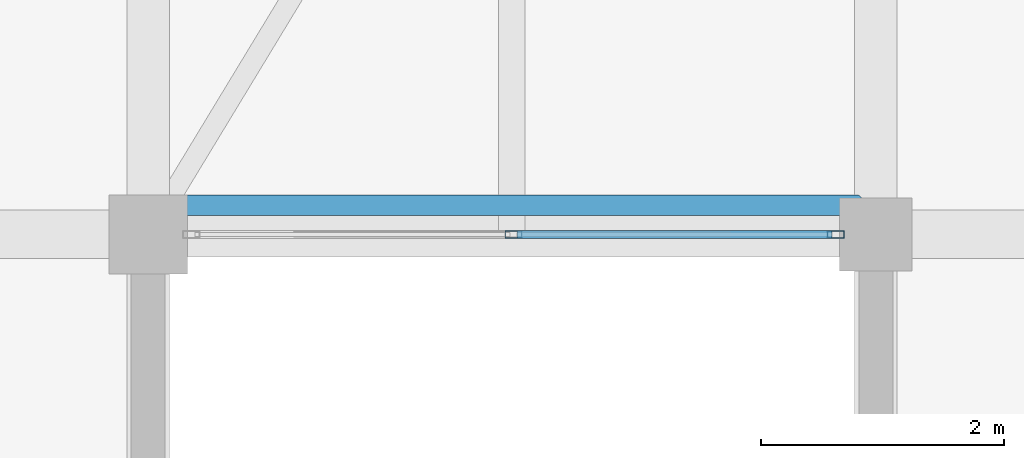
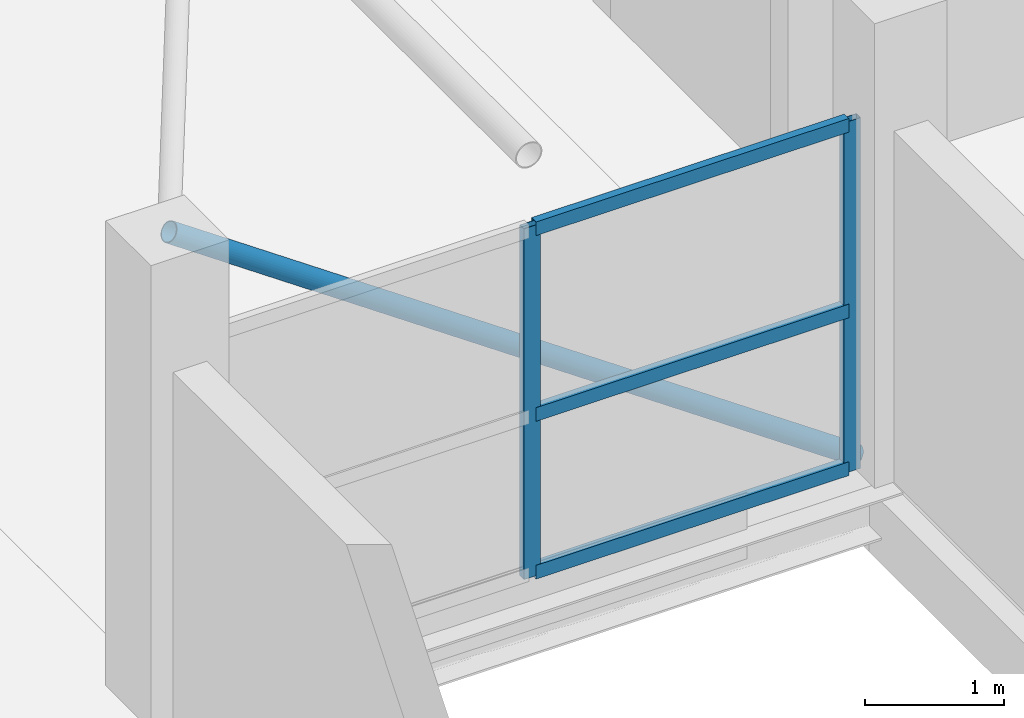
# One storey, part 17 of 70: 6 members, 1 element without a shape of its own.
"""IFC4 building model written with IfcOpenShell, lengths in metres."""

import ifcopenshell
import ifcopenshell.guid

model = None  # the IFC model being written
_history = None  # IfcOwnerHistory: only IFC2X3 demands one
_inside = {}  # id of a spatial element -> (the spatial element, [elements in it])
_under = {}  # id of a project, library or spatial element -> (it, [spatial elements below it])
_declared = {}  # id of a project -> (the project, [libraries it declares])
_typed = {}  # id of a type object -> (the type object, [elements of that type])
_made_of = {}  # id of a material, layer set ... -> (it, [elements and type objects made of it])


def new_model(schema):
    """Start an empty IFC model of exactly this schema.

    Asked for "IFC4X3", IfcOpenShell would pick the latest addendum, in which some entities
    have other attributes; the version numbers below select the first issue.
    IFC2X3 requires an IfcOwnerHistory on every rooted entity: one is made here for all.
    """
    global model, _history
    if schema == "IFC4X3":
        model = ifcopenshell.file(schema_version=(4, 3, 0, 0))
    else:
        model = ifcopenshell.file(schema=schema)
    _inside.clear()
    _under.clear()
    _declared.clear()
    _typed.clear()
    _made_of.clear()
    _history = None
    if model.schema == "IFC2X3":
        org = make("IfcOrganization", Name="unknown")
        user = make(
            "IfcPersonAndOrganization",
            ThePerson=make("IfcPerson", FamilyName="unknown"),
            TheOrganization=org,
        )
        app = make(
            "IfcApplication",
            ApplicationDeveloper=org,
            Version="unknown",
            ApplicationFullName="unknown",
            ApplicationIdentifier="unknown",
        )
        _history = make(
            "IfcOwnerHistory",
            OwningUser=user,
            OwningApplication=app,
            ChangeAction="ADDED",
            CreationDate=0,
        )
    return model


def make(cls, **values):
    """One entity of the class cls with the attributes given. An attribute that is None is left unset."""
    return model.create_entity(
        cls, **{name: value for name, value in values.items() if value is not None}
    )


def rooted(cls, **values):
    """An entity with a GlobalId (a new one), such as an element, a storey or a relation."""
    return make(cls, GlobalId=ifcopenshell.guid.new(), OwnerHistory=_history, **values)


def si_unit(unit_type, name, prefix=None):
    """IfcSIUnit, for example si_unit("LENGTHUNIT", "METRE", prefix="MILLI")."""
    return make("IfcSIUnit", UnitType=unit_type, Prefix=prefix, Name=name)


def assignment(units):
    """IfcUnitAssignment: the units of a project."""
    return None if units is None else make("IfcUnitAssignment", Units=units)


def point(xyz):
    """IfcCartesianPoint."""
    return None if xyz is None else make("IfcCartesianPoint", Coordinates=xyz)


def direction(xyz):
    """IfcDirection."""
    return None if xyz is None else make("IfcDirection", DirectionRatios=xyz)


def frame(location, z_axis=None, x_axis=None):
    """IfcAxis2Placement3D, a coordinate frame: its origin and axes. An axis left out is left unset."""
    return make(
        "IfcAxis2Placement3D",
        Location=point(location),
        Axis=direction(z_axis),
        RefDirection=direction(x_axis),
    )


def frame_2d(location, x_axis=None):
    """IfcAxis2Placement2D, a coordinate frame in the plane: its origin and x axis."""
    return make(
        "IfcAxis2Placement2D", Location=point(location), RefDirection=direction(x_axis)
    )


def origin():
    """The frame at (0, 0, 0) with its axes left unset."""
    return frame((0.0, 0.0, 0.0))


def origin_2d():
    """The frame at (0, 0) in the plane with its x axis left unset."""
    return frame_2d((0.0, 0.0))


def place(relative_to, where):
    """IfcLocalPlacement: puts the frame where relative to a parent placement (None: the world)."""
    return make(
        "IfcLocalPlacement", PlacementRelTo=relative_to, RelativePlacement=where
    )


def context(
    kind, dimensions, precision=None, world=None, true_north=None, identifier=None
):
    """IfcGeometricRepresentationContext, for example the 3D "Model" context."""
    return make(
        "IfcGeometricRepresentationContext",
        ContextIdentifier=identifier,
        ContextType=kind,
        CoordinateSpaceDimension=dimensions,
        Precision=precision,
        WorldCoordinateSystem=world,
        TrueNorth=true_north,
    )


def subcontext(parent, identifier, kind, view, scale=None):
    """IfcGeometricRepresentationSubContext, for example "Body" below "Model"."""
    return make(
        "IfcGeometricRepresentationSubContext",
        ContextIdentifier=identifier,
        ContextType=kind,
        ParentContext=parent,
        TargetScale=scale,
        TargetView=view,
    )


def project(units=None, contexts=None):
    """IfcProject with its units and contexts."""
    return rooted(
        "IfcProject",
        Name="project",
        RepresentationContexts=contexts,
        UnitsInContext=assignment(units),
    )


def spatial(cls, under=None, at=None, **own):
    """A site, building, storey or space (cls), placed at a placement, below another one or the project."""
    s = rooted(cls, ObjectPlacement=at, **own)
    if under is not None:
        _under.setdefault(under.id(), (under, []))[1].append(s)
    return s


def profile(cls, at=None, kind="AREA", **sizes):
    """A parametric profile (cls). Its sizes go by their IFC names, for example OverallWidth=200.0."""
    return make(cls, ProfileType=kind, Position=at, **sizes)


def hollow_rectangle(**sizes):
    """IfcRectangleHollowProfileDef."""
    return profile("IfcRectangleHollowProfileDef", **sizes)


def hollow_circle(**sizes):
    """IfcCircleHollowProfileDef."""
    return profile("IfcCircleHollowProfileDef", **sizes)


def extrude(swept, where, along, depth):
    """IfcExtrudedAreaSolid: the profile swept, set in the frame where, extruded along a direction by depth."""
    return make(
        "IfcExtrudedAreaSolid",
        SweptArea=swept,
        Position=where,
        ExtrudedDirection=direction(along),
        Depth=depth,
    )


def shape(context_of_items, identifier, shape_type, items):
    """IfcShapeRepresentation: the items that make up one representation, for example the "Body"."""
    return make(
        "IfcShapeRepresentation",
        ContextOfItems=context_of_items,
        RepresentationIdentifier=identifier,
        RepresentationType=shape_type,
        Items=items,
    )


def material(Name=None, Category=None):
    """IfcMaterial."""
    return make("IfcMaterial", Name=Name, Category=Category)


def layer(
    of_material, thickness, ventilated=None, Name=None, Category=None, Priority=None
):
    """IfcMaterialLayer: one layer of a wall or slab, of a material (None: an air gap)."""
    return make(
        "IfcMaterialLayer",
        Material=of_material,
        LayerThickness=thickness,
        IsVentilated=ventilated,
        Name=Name,
        Category=Category,
        Priority=Priority,
    )


def layer_set(layers, Name=None):
    """IfcMaterialLayerSet."""
    return make("IfcMaterialLayerSet", MaterialLayers=layers, LayerSetName=Name)


def material_profile(
    of_material, cross_section, Name=None, Category=None, Priority=None
):
    """IfcMaterialProfile: a cross section and its material."""
    return make(
        "IfcMaterialProfile",
        Name=Name,
        Material=of_material,
        Profile=cross_section,
        Priority=Priority,
        Category=Category,
    )


def profile_set(profiles, Name=None, composite=None):
    """IfcMaterialProfileSet."""
    return make(
        "IfcMaterialProfileSet",
        Name=Name,
        MaterialProfiles=profiles,
        CompositeProfile=composite,
    )


def made_of(thing, what):
    """Note that an element or type object is made of a material, layer set ...; save() writes the relation."""
    if what is not None:
        _made_of.setdefault(what.id(), (what, []))[1].append(thing)
    return thing


def type_object(cls, material=None, **own):
    """A type object (cls), such as IfcWallType, which elements share."""
    return made_of(rooted(cls, **own), material)


def element(
    cls,
    number,
    at=None,
    inside=None,
    cuts=None,
    type_object=None,
    material=None,
    context=None,
    identifier="Body",
    shape_type=None,
    held_by="IfcProductDefinitionShape",
    body=None,
    shapes=None,
    **own,
):
    """One element of the class cls, such as IfcWall. Its Tag is "e" and its number.

    at: its placement. inside: the storey or other place that contains it. cuts: it is an
    opening in that element (IfcRelVoidsElement). A single representation is given by context,
    identifier, shape_type and body (its items); several are given by shapes. held_by: the class
    of the entity that holds the representations. save() writes the other relations.
    """
    e = rooted(cls, Tag="e%d" % number, ObjectPlacement=at, **own)
    if body is not None:
        shapes = [shape(context, identifier, shape_type, body)]
    if shapes is not None:
        e.Representation = make(held_by, Representations=shapes)
    if inside is not None:
        _inside.setdefault(inside.id(), (inside, []))[1].append(e)
    if cuts is not None:
        rooted(
            "IfcRelVoidsElement", RelatingBuildingElement=cuts, RelatedOpeningElement=e
        )
    if type_object is not None:
        _typed.setdefault(type_object.id(), (type_object, []))[1].append(e)
    return made_of(e, material)


def aggregate(whole, parts):
    """IfcRelAggregates: a whole, such as a stair, and the parts it consists of."""
    return rooted("IfcRelAggregates", RelatingObject=whole, RelatedObjects=parts)


def save(model, path):
    """Write the relations noted so far, then the file.

    IfcRelAggregates (storeys below a building ...), IfcRelContainedInSpatialStructure (elements
    in a storey), IfcRelDefinesByType, IfcRelAssociatesMaterial and IfcRelDeclares: one each for
    every whole, place, type object, material and project.
    """
    for whole, parts in _under.values():
        aggregate(whole, parts)
    for where, things in _inside.values():
        rooted(
            "IfcRelContainedInSpatialStructure",
            RelatedElements=things,
            RelatingStructure=where,
        )
    for kind, things in _typed.values():
        rooted("IfcRelDefinesByType", RelatedObjects=things, RelatingType=kind)
    for what, things in _made_of.values():
        rooted("IfcRelAssociatesMaterial", RelatedObjects=things, RelatingMaterial=what)
    for by, libraries in _declared.values():
        rooted("IfcRelDeclares", RelatingContext=by, RelatedDefinitions=libraries)
    model.write(path)


model = new_model("IFC4")

# Units and contexts
model_context = context("Model", 3, precision=1e-05, world=origin(), true_north=direction((0.0, 1.0)))
body_context = subcontext(model_context, "Body", "Model", "MODEL_VIEW")
ifc_project = project(units=[si_unit("LENGTHUNIT", "METRE"), si_unit("AREAUNIT", "SQUARE_METRE"), si_unit("VOLUMEUNIT", "CUBIC_METRE"), si_unit("PLANEANGLEUNIT", "RADIAN"), si_unit("MASSUNIT", "GRAM", prefix="KILO")], contexts=[model_context])

# Site, building, storey
site_placement = place(None, origin())
site = spatial("IfcSite", under=ifc_project, at=site_placement, CompositionType="ELEMENT")
building_placement = place(site_placement, origin())
building = spatial("IfcBuilding", under=site, at=building_placement, Name="Sillaruma Civic Art Gallery", CompositionType="ELEMENT")
storey_placement = place(building_placement, frame((0.0, 0.0, 66.300048828125)))
storey = spatial("IfcBuildingStorey", under=building, at=storey_placement, Name="L13", CompositionType="ELEMENT", Elevation=66.300048828125)

# Member
ifc_material_1 = material(Name="Structural Steel ASTM A500 Gr.C", Category="steel")
ifc_material_profile_1 = material_profile(ifc_material_1, hollow_circle(Radius=0.084228515625, WallThickness=0.007080078125, at=origin_2d()), Name="CHS168.3x7.1")
ifc_profile_set_1 = profile_set([ifc_material_profile_1], Name="Structural Steel ASTM A500 Gr.C")
member_type_1 = type_object("IfcMemberType", Name="MEM-BRIDGE-BRACE", PredefinedType="BRACE", material=ifc_profile_set_1)
member_1_placement = place(storey_placement, frame((97.85009765625, 39.840087890625, -0.080078125), z_axis=(-0.821944981473, 0.0, 0.569566894606), x_axis=(0.0, -1.0, 0.0)))
element("IfcMember", 1, at=member_1_placement, inside=storey, type_object=member_type_1, Name="Sky-Bridge Elevation Truss Web Brace (BRG-S:L13:S)", PredefinedType="BRACE", context=body_context, shape_type="SweptSolid", body=[
    extrude(hollow_circle(Radius=0.084228515625, WallThickness=0.007080078125, at=origin_2d()), origin(), (0.0, 0.0, 1.0), 6.93505859375),
])

# Curtain wall, members
ifc_material_2 = material(Name="Thermally Broken Extruded Aluminium 6063-T6", Category="aluminium")
ifc_layer = layer(ifc_material_2, 0.139892578125, Name="Thermally Broken Extruded Aluminium 6063-T6")
ifc_layer_set = layer_set([ifc_layer], Name="Thermally Broken Extruded Aluminium 6063-T6")
curtain_wall_type = type_object("IfcCurtainWallType", Name="CW-UNI-108", PredefinedType="NOTDEFINED", material=ifc_layer_set)
curtain_wall_placement = place(storey_placement, origin())
curtain_wall = element("IfcCurtainWall", 2, at=curtain_wall_placement, inside=storey, type_object=curtain_wall_type, Name="Unitised Curtain Wall CW-108 (CW-BRG-S-L13-S)", PredefinedType="NOTDEFINED")
ifc_material_profile_2 = material_profile(ifc_material_2, hollow_rectangle(XDim=0.06005859375, YDim=0.139892578125, WallThickness=0.00341796875, at=origin_2d()), Name="CWM60x140")
ifc_profile_set_2 = profile_set([ifc_material_profile_2], Name="Thermally Broken Extruded Aluminium 6063-T6")
member_type_2 = type_object("IfcMemberType", Name="MEM-MUL-CWM60x140", PredefinedType="MULLION", material=ifc_profile_set_2)
member_2_placement = place(storey_placement, frame((95.012451171875, 39.60009765625, 0.0), z_axis=(0.0, 0.0, 1.0), x_axis=(0.0, 1.0, 0.0)))
member_2 = element("IfcMember", 3, at=member_2_placement, type_object=member_type_2, Name="CW-108 mullion 2", PredefinedType="MULLION", context=body_context, shape_type="SweptSolid", body=[
    extrude(hollow_rectangle(XDim=0.06005859375, YDim=0.139892578125, WallThickness=0.00341796875, at=origin_2d()), origin(), (0.0, 0.0, 1.0), 3.079833984375),
])
member_3_placement = place(storey_placement, frame((97.669921875, 39.60009765625, 0.0), z_axis=(0.0, 0.0, 1.0), x_axis=(0.0, 1.0, 0.0)))
member_3 = element("IfcMember", 4, at=member_3_placement, type_object=member_type_2, Name="CW-108 mullion 3", PredefinedType="MULLION", context=body_context, shape_type="SweptSolid", body=[
    extrude(hollow_rectangle(XDim=0.06005859375, YDim=0.139892578125, WallThickness=0.00341796875, at=origin_2d()), origin(), (0.0, 0.0, 1.0), 3.079833984375),
])
ifc_material_profile_3 = material_profile(ifc_material_2, hollow_rectangle(XDim=0.06494140625, YDim=0.1201171875, WallThickness=0.00341796875, at=origin_2d()), Name="CWT65x120")
ifc_profile_set_3 = profile_set([ifc_material_profile_3], Name="Thermally Broken Extruded Aluminium 6063-T6")
member_type_3 = type_object("IfcMemberType", Name="MEM-TRN-CWT65x120", PredefinedType="USERDEFINED", material=ifc_profile_set_3)
member_4_placement = place(storey_placement, frame((95.04248046875, 39.60009765625, 0.032470703125), z_axis=(1.0, 0.0, 0.0), x_axis=(0.0, 1.0, 0.0)))
member_4 = element("IfcMember", 5, at=member_4_placement, type_object=member_type_3, Name="CW-108 transom 2.1", ObjectType="TRANSOM", PredefinedType="USERDEFINED", context=body_context, shape_type="SweptSolid", body=[
    extrude(hollow_rectangle(XDim=0.06494140625, YDim=0.1201171875, WallThickness=0.00341796875, at=origin_2d()), origin(), (0.0, 0.0, 1.0), 2.597412109375),
])
member_5_placement = place(storey_placement, frame((95.04248046875, 39.60009765625, 1.416748046875), z_axis=(1.0, 0.0, 0.0), x_axis=(0.0, 1.0, 0.0)))
member_5 = element("IfcMember", 6, at=member_5_placement, type_object=member_type_3, Name="CW-108 transom 2.2", ObjectType="TRANSOM", PredefinedType="USERDEFINED", context=body_context, shape_type="SweptSolid", body=[
    extrude(hollow_rectangle(XDim=0.06494140625, YDim=0.1201171875, WallThickness=0.00341796875, at=origin_2d()), origin(), (0.0, 0.0, 1.0), 2.597412109375),
])
member_6_placement = place(storey_placement, frame((95.04248046875, 39.60009765625, 3.04736328125), z_axis=(1.0, 0.0, 0.0), x_axis=(0.0, 1.0, 0.0)))
member_6 = element("IfcMember", 7, at=member_6_placement, type_object=member_type_3, Name="CW-108 transom 2.3", ObjectType="TRANSOM", PredefinedType="USERDEFINED", context=body_context, shape_type="SweptSolid", body=[
    extrude(hollow_rectangle(XDim=0.06494140625, YDim=0.1201171875, WallThickness=0.00341796875, at=origin_2d()), origin(), (0.0, 0.0, 1.0), 2.597412109375),
])
aggregate(curtain_wall, [member_2, member_3, member_4, member_5, member_6])

save(model, "model.ifc")
